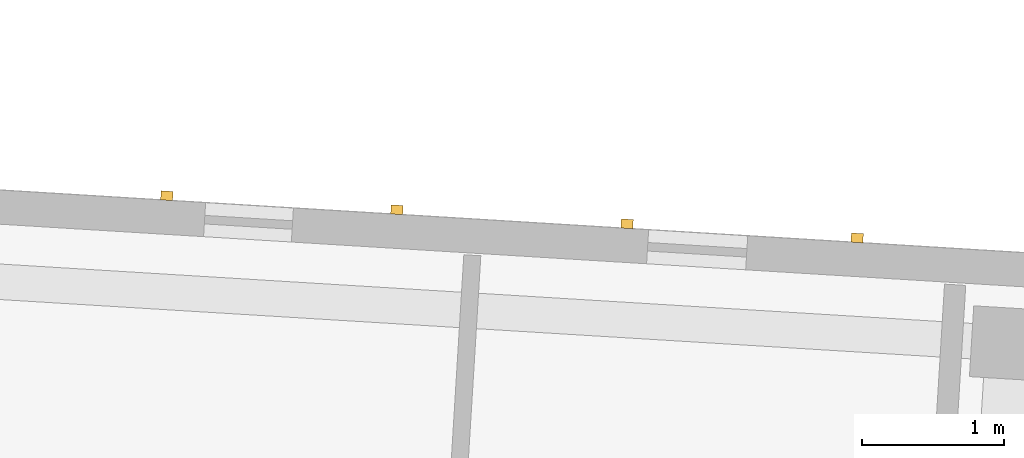
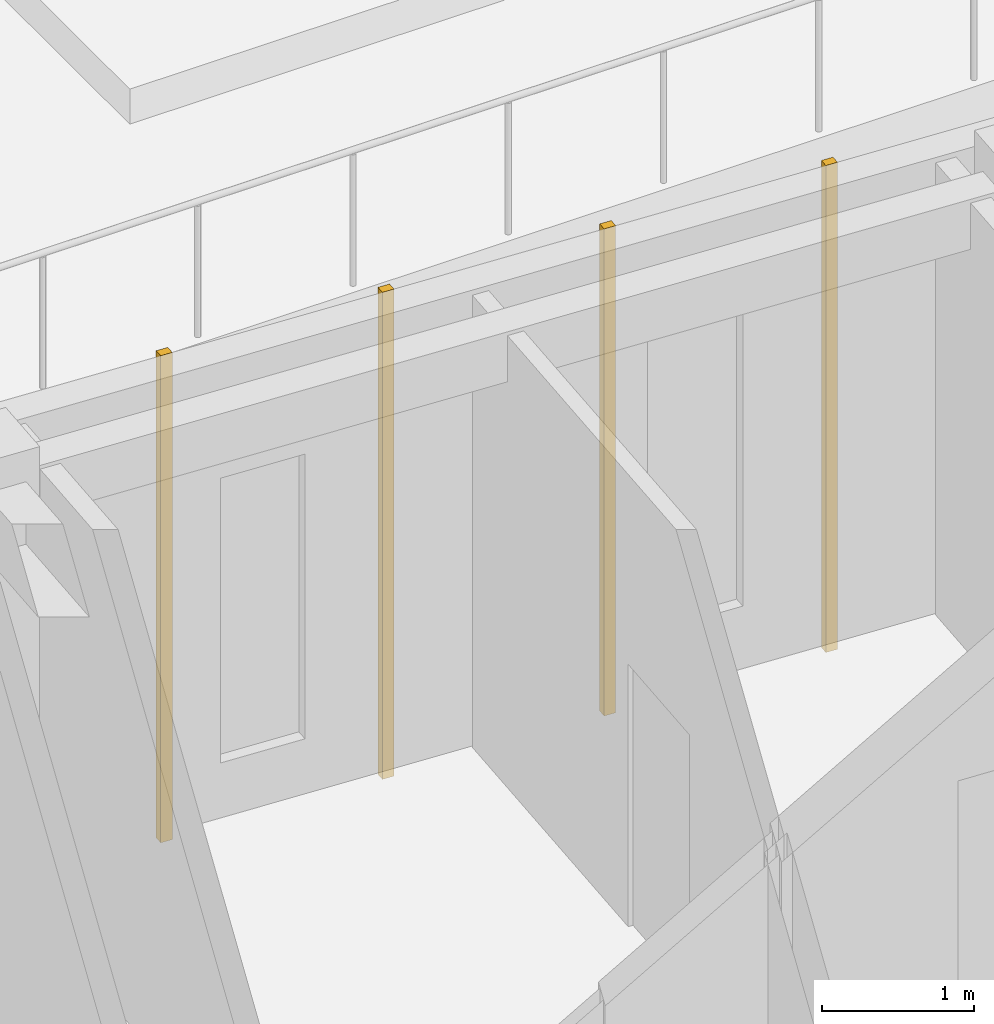
# One storey, part 134 of 150: 4 coverings.
"""IFC4 building model written with IfcOpenShell, lengths in metres."""

from ifc_helpers import new_model, si_unit, direction, frame, origin, origin_2d, place, context, subcontext, project, spatial, rectangle, extrude, material, layer, layer_set, type_object, element, save


model = new_model("IFC4")

# Units and contexts
model_context = context("Model", 3, precision=1e-05, world=origin(), true_north=direction((0.0, 1.0)))
body_context = subcontext(model_context, "Body", "Model", "MODEL_VIEW")
ifc_project = project(units=[si_unit("LENGTHUNIT", "METRE"), si_unit("AREAUNIT", "SQUARE_METRE"), si_unit("VOLUMEUNIT", "CUBIC_METRE"), si_unit("PLANEANGLEUNIT", "RADIAN"), si_unit("MASSUNIT", "GRAM", prefix="KILO")], contexts=[model_context])

# Site, building, storey
site_placement = place(None, origin())
site = spatial("IfcSite", under=ifc_project, at=site_placement, CompositionType="ELEMENT")
building_placement = place(site_placement, origin())
building = spatial("IfcBuilding", under=site, at=building_placement, Name="Kestramere Prow Commons", CompositionType="ELEMENT")
storey_placement = place(building_placement, frame((0.0, 0.0, 4.5)))
storey = spatial("IfcBuildingStorey", under=building, at=storey_placement, Name="L01", CompositionType="ELEMENT", Elevation=4.5)

# Coverings
ifc_material = material(Name="Weathered Zinc-Titanium Standing-Seam Cladding")
ifc_layer = layer(ifc_material, 0.074951171875)
ifc_layer_set = layer_set([ifc_layer], Name="Weathered Zinc-Titanium Standing-Seam Cladding")
covering_type = type_object("IfcCoveringType", Name="COV-CLAD-SEAM", PredefinedType="CLADDING", material=ifc_layer_set)
for number, where, z_axis, x_axis, name in (
    (1, (100.2890625, 64.320556640625, -0.25), (0.0, 0.0, 1.0), (0.998134798422, -0.061048539535, 0.0), "EW-C-L01-N-5 Standing-Seam Rib 1"),
    (2, (101.910888671875, 64.221435546875, -0.25), (0.0, 0.0, 1.0), (0.998134798422, -0.061048539535, 0.0), "EW-C-L01-N-5 Standing-Seam Rib 2"),
    (3, (103.532958984375, 64.122314453125, -0.25), (0.0, 0.0, 1.0), (0.998134798422, -0.061048539535, 0.0), "EW-C-L01-N-5 Standing-Seam Rib 3"),
    (4, (105.155029296875, 64.02294921875, -0.25), (0.0, 0.0, 1.0), (0.998134798422, -0.061048539535, 0.0), "EW-C-L01-N-5 Standing-Seam Rib 4"),
):
    element("IfcCovering", number, at=place(storey_placement, frame(where, z_axis=z_axis, x_axis=x_axis)), inside=storey, type_object=covering_type, Name=name, PredefinedType="CLADDING", context=body_context, shape_type="SweptSolid", body=[
        extrude(rectangle(XDim=0.0849609375, YDim=0.06494140625, at=origin_2d()), origin(), (0.0, 0.0, 1.0), 3.89990234375),
    ])

save(model, "model.ifc")
